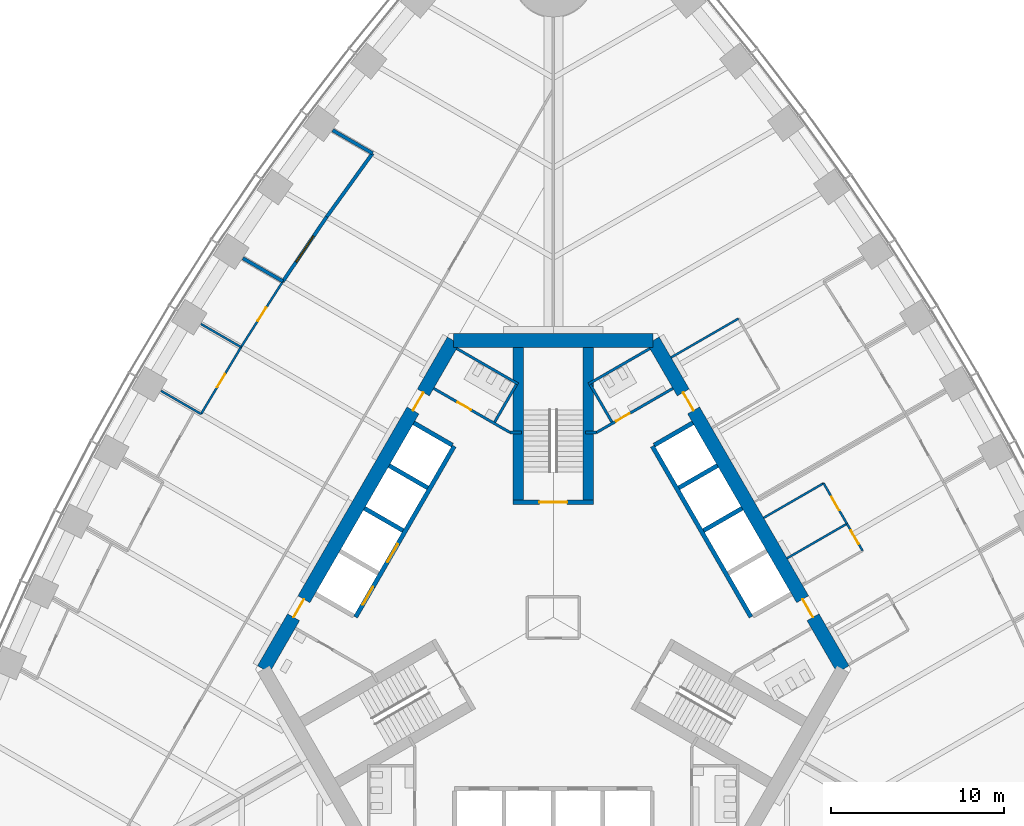
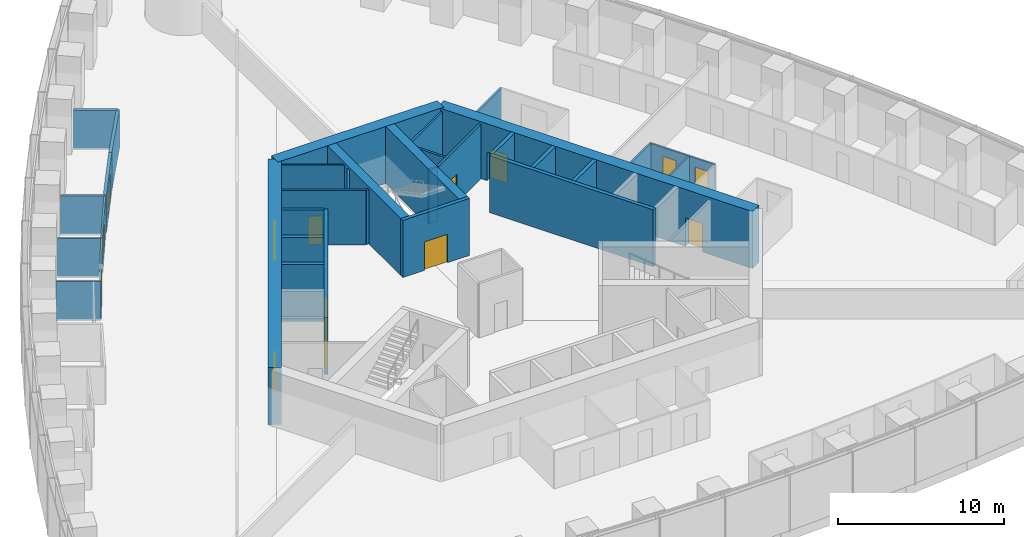
# One storey, part 12 of 18: 35 walls, 14 doors, 14 openings.
"""IFC4 building model written with IfcOpenShell, lengths in metres."""

from ifc_helpers import new_model, si_unit, direction, frame, frame_2d, origin, place, context, subcontext, project, spatial, rectangle, extrude, material, layer, layer_set, type_object, element, fill, save


model = new_model("IFC4")

# Units and contexts
model_context = context("Model", 3, precision=1e-05, world=origin(), true_north=direction((0.0, 1.0)))
body_context = subcontext(model_context, "Body", "Model", "MODEL_VIEW")
ifc_project = project(units=[si_unit("LENGTHUNIT", "METRE"), si_unit("AREAUNIT", "SQUARE_METRE"), si_unit("VOLUMEUNIT", "CUBIC_METRE"), si_unit("PLANEANGLEUNIT", "RADIAN"), si_unit("MASSUNIT", "GRAM", prefix="KILO")], contexts=[model_context])

# Site, building, storey
site_placement = place(None, origin())
site = spatial("IfcSite", under=ifc_project, at=site_placement, CompositionType="ELEMENT")
building_placement = place(site_placement, origin())
building = spatial("IfcBuilding", under=site, at=building_placement, Name="Trefoil Bronze Tower", CompositionType="ELEMENT")
storey_placement = place(building_placement, frame((0.0, 0.0, 50.10009765625)))
storey = spatial("IfcBuildingStorey", under=building, at=storey_placement, Name="L11", CompositionType="ELEMENT", Elevation=50.10009765625)

# Wall, opening, door
ifc_material_1 = material(Name="Gypsum board on steel studs", Category="steel")
ifc_layer_1 = layer(ifc_material_1, 0.199951171875)
ifc_layer_set_1 = layer_set([ifc_layer_1], Name="Acoustic partition 200")
wall_type_1 = type_object("IfcWallType", Name="Acoustic partition 200", PredefinedType="PARTITIONING", material=ifc_layer_set_1)
wall_1_placement = place(storey_placement, frame((-13.090576171875, 23.146240234375, 0.0), z_axis=(0.0, 0.0, 1.0), x_axis=(-0.561512004239, -0.827468591002, 0.0)))
wall_1 = element("IfcWall", 1, at=wall_1_placement, inside=storey, type_object=wall_type_1, Name="Partition F3 L11", PredefinedType="PARTITIONING", context=body_context, shape_type="SweptSolid", body=[
    extrude(rectangle(XDim=4.51171875, YDim=0.199951171875, at=frame_2d((2.255859375, 0.0))), origin(), (0.0, 0.0, 1.0), 2.89990234375),
])
opening_1_placement = place(wall_1_placement, frame((1.35009765625, 0.0, 0.14990234375)))
opening_1 = element("IfcOpeningElement", 2, at=opening_1_placement, cuts=wall_1, Name="Opening D10", PredefinedType="OPENING", context=body_context, shape_type="SweptSolid", body=[
    extrude(rectangle(XDim=1.800048828125, YDim=2.10009765625, at=frame_2d((0.89990234375, 1.050048828125))), frame((0.0, 0.10986328125, 0.0), z_axis=(0.0, -1.0, 0.0), x_axis=(1.0, 0.0, 0.0)), (0.0, 0.0, 1.0), 0.219970703125),
])
ifc_material_2 = material(Name="Timber door", Category="wood")
door_type_1 = type_object("IfcDoorType", Name="Double door 1800", OperationType="DOUBLE_DOOR_SINGLE_SWING", PredefinedType="DOOR", material=ifc_material_2)
door_1_placement = place(opening_1_placement, frame((1.800048828125, 0.0, 0.0), z_axis=(0.0, 0.0, 1.0), x_axis=(-1.0, 0.0, 0.0)))
door_1 = element("IfcDoor", 3, at=door_1_placement, inside=storey, type_object=door_type_1, Name="Training room door F3 L11", OperationType="DOUBLE_DOOR_SINGLE_SWING", OverallHeight=2.10009765625, OverallWidth=1.800048828125, PredefinedType="DOOR", context=body_context, shape_type="SweptSolid", body=[
    extrude(rectangle(XDim=1.800048828125, YDim=2.10009765625, at=frame_2d((0.89990234375, 1.050048828125))), frame((0.0, 0.02490234375, 0.0), z_axis=(0.0, -1.0, 0.0), x_axis=(1.0, 0.0, 0.0)), (0.0, 0.0, 1.0), 0.050048828125),
])
fill(opening_1, door_1)

# Walls
wall_2_placement = place(storey_placement, frame((-10.44287109375, 26.813720703125, 0.0), z_axis=(0.0, 0.0, 1.0), x_axis=(-0.58534077607, -0.810787380187, 0.0)))
element("IfcWall", 4, at=wall_2_placement, inside=storey, type_object=wall_type_1, Name="Partition F3 L11", PredefinedType="PARTITIONING", context=body_context, shape_type="SweptSolid", body=[
    extrude(rectangle(XDim=4.5234375, YDim=0.199951171875, at=frame_2d((2.26171875, 0.0))), origin(), (0.0, 0.0, 1.0), 2.89990234375),
])
wall_3_placement = place(storey_placement, frame((-10.44287109375, 26.813720703125, 0.0), z_axis=(0.0, 0.0, 1.0), x_axis=(-0.866031171652, 0.499990009627, 0.0)))
element("IfcWall", 5, at=wall_3_placement, inside=storey, type_object=wall_type_1, Name="Partition F3 L11", PredefinedType="PARTITIONING", context=body_context, shape_type="SweptSolid", body=[
    extrude(rectangle(XDim=2.6591796875, YDim=0.199951171875, at=frame_2d((1.32958984375, 0.0))), origin(), (0.0, 0.0, 1.0), 2.89990234375),
])
wall_4_placement = place(storey_placement, frame((-15.6240234375, 19.412841796875, 0.0), z_axis=(0.0, 0.0, 1.0), x_axis=(-0.866020974757, 0.500007671222, 0.0)))
element("IfcWall", 6, at=wall_4_placement, inside=storey, type_object=wall_type_1, Name="Partition F3 L11", PredefinedType="PARTITIONING", context=body_context, shape_type="SweptSolid", body=[
    extrude(rectangle(XDim=2.66748046875, YDim=0.199951171875, at=frame_2d((1.333740234375, 0.0))), origin(), (0.0, 0.0, 1.0), 2.89990234375),
])

# Wall, openings, doors
ifc_material_3 = material(Name="Concrete B80", Category="concrete")
ifc_layer_2 = layer(ifc_material_3, 0.800048828125)
ifc_layer_set_2 = layer_set([ifc_layer_2], Name="Core wall 800")
wall_type_2 = type_object("IfcWallType", Name="Core wall 800", PredefinedType="SHEAR", material=ifc_layer_set_2)
wall_5_placement = place(storey_placement, frame((16.7431640625, -3.0, 0.0), z_axis=(0.0, 0.0, 1.0), x_axis=(-0.500002442456, 0.866023993627, 0.0)))
wall_5 = element("IfcWall", 7, at=wall_5_placement, inside=storey, type_object=wall_type_2, Name="Core long wall 2 L11", PredefinedType="SHEAR", context=body_context, shape_type="SweptSolid", body=[
    extrude(rectangle(XDim=21.939453125, YDim=0.800048828125, at=frame_2d((10.9697265625, 0.0))), origin(), (0.0, 0.0, 1.0), 4.199951171875),
])
opening_2_placement = place(wall_5_placement, frame((17.269775390625, 0.0, 0.0)))
opening_2 = element("IfcOpeningElement", 8, at=opening_2_placement, cuts=wall_5, Name="Opening D2", PredefinedType="OPENING", context=body_context, shape_type="SweptSolid", body=[
    extrude(rectangle(XDim=1.199951171875, YDim=2.10009765625, at=frame_2d((0.60009765625, 1.050048828125))), frame((0.0, 0.409912109375, 0.0), z_axis=(0.0, -1.0, 0.0), x_axis=(1.0, 0.0, 0.0)), (0.0, 0.0, 1.0), 0.820068359375),
])
opening_3_placement = place(wall_5_placement, frame((3.4697265625, 0.0, 0.0)))
opening_3 = element("IfcOpeningElement", 9, at=opening_3_placement, cuts=wall_5, Name="Opening D2", PredefinedType="OPENING", context=body_context, shape_type="SweptSolid", body=[
    extrude(rectangle(XDim=1.199951171875, YDim=2.10009765625, at=frame_2d((0.60009765625, 1.050048828125))), frame((0.0, 0.409912109375, 0.0), z_axis=(0.0, -1.0, 0.0), x_axis=(1.0, 0.0, 0.0)), (0.0, 0.0, 1.0), 0.820068359375),
])
ifc_material_4 = material(Name="Steel door", Category="steel")
door_type_2 = type_object("IfcDoorType", Name="Lobby door 1200", OperationType="SINGLE_SWING_RIGHT", PredefinedType="DOOR", material=ifc_material_4)
door_2_placement = place(opening_2_placement, origin())
door_2 = element("IfcDoor", 10, at=door_2_placement, inside=storey, type_object=door_type_2, Name="Lobby door F2+ L11", OperationType="SINGLE_SWING_RIGHT", OverallHeight=2.10009765625, OverallWidth=1.199951171875, PredefinedType="DOOR", context=body_context, shape_type="SweptSolid", body=[
    extrude(rectangle(XDim=1.199951171875, YDim=2.10009765625, at=frame_2d((0.60009765625, 1.050048828125))), frame((0.0, 0.02490234375, 0.0), z_axis=(0.0, -1.0, 0.0), x_axis=(1.0, 0.0, 0.0)), (0.0, 0.0, 1.0), 0.050048828125),
])
fill(opening_2, door_2)
door_3_placement = place(opening_3_placement, origin())
door_3 = element("IfcDoor", 11, at=door_3_placement, inside=storey, type_object=door_type_2, Name="Lobby door F2- L11", OperationType="SINGLE_SWING_LEFT", OverallHeight=2.10009765625, OverallWidth=1.199951171875, PredefinedType="DOOR", context=body_context, shape_type="SweptSolid", body=[
    extrude(rectangle(XDim=1.199951171875, YDim=2.10009765625, at=frame_2d((0.60009765625, 1.050048828125))), frame((0.0, 0.02490234375, 0.0), z_axis=(0.0, -1.0, 0.0), x_axis=(1.0, 0.0, 0.0)), (0.0, 0.0, 1.0), 0.050048828125),
])
fill(opening_3, door_3)

# Wall
wall_6_placement = place(storey_placement, frame((5.7734375, 16.0, 0.0), z_axis=(0.0, 0.0, 1.0), x_axis=(-1.0, 0.0, 0.0)))
element("IfcWall", 12, at=wall_6_placement, inside=storey, type_object=wall_type_2, Name="Core short wall 2 L11", PredefinedType="SHEAR", context=body_context, shape_type="SweptSolid", body=[
    extrude(rectangle(XDim=11.546875, YDim=0.800048828125, at=frame_2d((5.7734375, 0.0))), origin(), (0.0, 0.0, 1.0), 4.199951171875),
])

# Wall, openings, doors
wall_7_placement = place(storey_placement, frame((-5.7734375, 16.0, 0.0), z_axis=(0.0, 0.0, 1.0), x_axis=(-0.500002442456, -0.866023993627, 0.0)))
wall_7 = element("IfcWall", 13, at=wall_7_placement, inside=storey, type_object=wall_type_2, Name="Core long wall 3 L11", PredefinedType="SHEAR", context=body_context, shape_type="SweptSolid", body=[
    extrude(rectangle(XDim=21.939453125, YDim=0.800048828125, at=frame_2d((10.9697265625, 0.0))), origin(), (0.0, 0.0, 1.0), 4.199951171875),
])
opening_4_placement = place(wall_7_placement, frame((17.269775390625, 0.0, 0.0)))
opening_4 = element("IfcOpeningElement", 14, at=opening_4_placement, cuts=wall_7, Name="Opening D2", PredefinedType="OPENING", context=body_context, shape_type="SweptSolid", body=[
    extrude(rectangle(XDim=1.199951171875, YDim=2.10009765625, at=frame_2d((0.60009765625, 1.050048828125))), frame((0.0, 0.409912109375, 0.0), z_axis=(0.0, -1.0, 0.0), x_axis=(1.0, 0.0, 0.0)), (0.0, 0.0, 1.0), 0.820068359375),
])
opening_5_placement = place(wall_7_placement, frame((3.4697265625, 0.0, 0.0)))
opening_5 = element("IfcOpeningElement", 15, at=opening_5_placement, cuts=wall_7, Name="Opening D2", PredefinedType="OPENING", context=body_context, shape_type="SweptSolid", body=[
    extrude(rectangle(XDim=1.199951171875, YDim=2.10009765625, at=frame_2d((0.60009765625, 1.050048828125))), frame((0.0, 0.409912109375, 0.0), z_axis=(0.0, -1.0, 0.0), x_axis=(1.0, 0.0, 0.0)), (0.0, 0.0, 1.0), 0.820068359375),
])
door_4_placement = place(opening_4_placement, origin())
door_4 = element("IfcDoor", 16, at=door_4_placement, inside=storey, type_object=door_type_2, Name="Lobby door F3+ L11", OperationType="SINGLE_SWING_RIGHT", OverallHeight=2.10009765625, OverallWidth=1.199951171875, PredefinedType="DOOR", context=body_context, shape_type="SweptSolid", body=[
    extrude(rectangle(XDim=1.199951171875, YDim=2.10009765625, at=frame_2d((0.60009765625, 1.050048828125))), frame((0.0, 0.02490234375, 0.0), z_axis=(0.0, -1.0, 0.0), x_axis=(1.0, 0.0, 0.0)), (0.0, 0.0, 1.0), 0.050048828125),
])
fill(opening_4, door_4)
door_5_placement = place(opening_5_placement, origin())
door_5 = element("IfcDoor", 17, at=door_5_placement, inside=storey, type_object=door_type_2, Name="Lobby door F3- L11", OperationType="SINGLE_SWING_LEFT", OverallHeight=2.10009765625, OverallWidth=1.199951171875, PredefinedType="DOOR", context=body_context, shape_type="SweptSolid", body=[
    extrude(rectangle(XDim=1.199951171875, YDim=2.10009765625, at=frame_2d((0.60009765625, 1.050048828125))), frame((0.0, 0.02490234375, 0.0), z_axis=(0.0, -1.0, 0.0), x_axis=(1.0, 0.0, 0.0)), (0.0, 0.0, 1.0), 0.050048828125),
])
fill(opening_5, door_5)

# Wall, opening, door
ifc_material_5 = material(Name="Glazed partition", Category="glass")
ifc_layer_3 = layer(ifc_material_5, 0.1201171875)
ifc_layer_set_3 = layer_set([ifc_layer_3], Name="Glazed partition 120")
wall_type_3 = type_object("IfcWallType", Name="Glazed partition 120", PredefinedType="PARTITIONING", material=ifc_layer_set_3)
wall_8_placement = place(storey_placement, frame((16.96875, 5.4091796875, 0.0), z_axis=(0.0, 0.0, 1.0), x_axis=(-0.499980770555, 0.866036505625, 0.0)))
wall_8 = element("IfcWall", 18, at=wall_8_placement, inside=storey, type_object=wall_type_3, Name="Partition F2 L11", PredefinedType="PARTITIONING", context=body_context, shape_type="SweptSolid", body=[
    extrude(rectangle(XDim=2.69970703125, YDim=0.1201171875, at=frame_2d((1.349853515625, 0.0))), origin(), (0.0, 0.0, 1.0), 2.89990234375),
])
opening_6_placement = place(wall_8_placement, frame((0.89990234375, 0.0, 0.14990234375)))
opening_6 = element("IfcOpeningElement", 19, at=opening_6_placement, cuts=wall_8, Name="Opening D8", PredefinedType="OPENING", context=body_context, shape_type="SweptSolid", body=[
    extrude(rectangle(XDim=0.89990234375, YDim=2.10009765625, at=frame_2d((0.449951171875, 1.050048828125))), frame((0.0, 0.070068359375, 0.0), z_axis=(0.0, -1.0, 0.0), x_axis=(1.0, 0.0, 0.0)), (0.0, 0.0, 1.0), 0.14013671875),
])
ifc_material_6 = material(Name="Timber door", Category="wood")
door_type_3 = type_object("IfcDoorType", Name="Office door 900", OperationType="SINGLE_SWING_LEFT", PredefinedType="DOOR", material=ifc_material_6)
door_6_placement = place(opening_6_placement, origin())
door_6 = element("IfcDoor", 20, at=door_6_placement, inside=storey, type_object=door_type_3, Name="Pantry door F2 L11", OperationType="SINGLE_SWING_RIGHT", OverallHeight=2.10009765625, OverallWidth=0.89990234375, PredefinedType="DOOR", context=body_context, shape_type="SweptSolid", body=[
    extrude(rectangle(XDim=0.89990234375, YDim=2.10009765625, at=frame_2d((0.449951171875, 1.050048828125))), frame((0.0, 0.02490234375, 0.0), z_axis=(0.0, -1.0, 0.0), x_axis=(1.0, 0.0, 0.0)), (0.0, 0.0, 1.0), 0.050048828125),
])
fill(opening_6, door_6)

wall_9_placement = place(storey_placement, frame((17.868896484375, 3.850341796875, 0.0), z_axis=(0.0, 0.0, 1.0), x_axis=(-0.500062916607, 0.865989075817, 0.0)))
wall_9 = element("IfcWall", 21, at=wall_9_placement, inside=storey, type_object=wall_type_3, Name="Partition F2 L11", PredefinedType="PARTITIONING", context=body_context, shape_type="SweptSolid", body=[
    extrude(rectangle(XDim=1.800048828125, YDim=0.1201171875, at=frame_2d((0.89990234375, 0.0))), origin(), (0.0, 0.0, 1.0), 2.89990234375),
])
opening_7_placement = place(wall_9_placement, frame((0.449951171875, 0.0, 0.14990234375)))
opening_7 = element("IfcOpeningElement", 22, at=opening_7_placement, cuts=wall_9, Name="Opening D8", PredefinedType="OPENING", context=body_context, shape_type="SweptSolid", body=[
    extrude(rectangle(XDim=0.89990234375, YDim=2.10009765625, at=frame_2d((0.449951171875, 1.050048828125))), frame((0.0, 0.070068359375, 0.0), z_axis=(0.0, -1.0, 0.0), x_axis=(1.0, 0.0, 0.0)), (0.0, 0.0, 1.0), 0.14013671875),
])
door_7_placement = place(opening_7_placement, origin())
door_7 = element("IfcDoor", 23, at=door_7_placement, inside=storey, type_object=door_type_3, Name="Focus room door F2 L11", OperationType="SINGLE_SWING_LEFT", OverallHeight=2.10009765625, OverallWidth=0.89990234375, PredefinedType="DOOR", context=body_context, shape_type="SweptSolid", body=[
    extrude(rectangle(XDim=0.89990234375, YDim=2.10009765625, at=frame_2d((0.449951171875, 1.050048828125))), frame((0.0, 0.02490234375, 0.0), z_axis=(0.0, -1.0, 0.0), x_axis=(1.0, 0.0, 0.0)), (0.0, 0.0, 1.0), 0.050048828125),
])
fill(opening_7, door_7)

# Walls
wall_10_placement = place(storey_placement, frame((6.8046875, 15.013916015625, 0.0), z_axis=(0.0, 0.0, 1.0), x_axis=(0.866031096941, 0.499990139034, 0.0)))
element("IfcWall", 24, at=wall_10_placement, inside=storey, type_object=wall_type_3, Name="Partition F2 L11", PredefinedType="PARTITIONING", context=body_context, shape_type="SweptSolid", body=[
    extrude(rectangle(XDim=4.5, YDim=0.1201171875, at=frame_2d((2.25, 0.0))), origin(), (0.0, 0.0, 1.0), 2.89990234375),
])
for number, where, z_axis, x_axis, name in (
    (25, (12.15478515625, 5.747314453125, 0.0), (0.0, 0.0, 1.0), (0.866026010844, 0.49999894854, 0.0), "Partition F2 L11"),
    (26, (13.504638671875, 3.4091796875, 0.0), (0.0, 0.0, 1.0), (0.866026010844, 0.49999894854, 0.0), "Partition F2 L11"),
):
    element("IfcWall", number, at=place(storey_placement, frame(where, z_axis=z_axis, x_axis=x_axis)), inside=storey, type_object=wall_type_3, Name=name, PredefinedType="PARTITIONING", context=body_context, shape_type="SweptSolid", body=[
        extrude(rectangle(XDim=4.0, YDim=0.1201171875, at=frame_2d((2.0, 0.0))), origin(), (0.0, 0.0, 1.0), 2.89990234375),
    ])

# Wall, opening, door
wall_11_placement = place(storey_placement, frame((-18.0439453125, 15.61376953125, 0.0), z_axis=(0.0, 0.0, 1.0), x_axis=(-0.51252396108, -0.858672923364, 0.0)))
wall_11 = element("IfcWall", 27, at=wall_11_placement, inside=storey, type_object=wall_type_3, Name="Partition F3 L11", PredefinedType="PARTITIONING", context=body_context, shape_type="SweptSolid", body=[
    extrude(rectangle(XDim=4.50048828125, YDim=0.1201171875, at=frame_2d((2.250244140625, 0.0))), origin(), (0.0, 0.0, 1.0), 2.89990234375),
])
opening_8_placement = place(wall_11_placement, frame((1.800048828125, 0.0, 0.14990234375)))
opening_8 = element("IfcOpeningElement", 28, at=opening_8_placement, cuts=wall_11, Name="Opening D8", PredefinedType="OPENING", context=body_context, shape_type="SweptSolid", body=[
    extrude(rectangle(XDim=0.89990234375, YDim=2.10009765625, at=frame_2d((0.449951171875, 1.050048828125))), frame((0.0, 0.070068359375, 0.0), z_axis=(0.0, -1.0, 0.0), x_axis=(1.0, 0.0, 0.0)), (0.0, 0.0, 1.0), 0.14013671875),
])
door_8_placement = place(opening_8_placement, frame((0.89990234375, 0.0, 0.0), z_axis=(0.0, 0.0, 1.0), x_axis=(-1.0, 0.0, 0.0)))
door_8 = element("IfcDoor", 29, at=door_8_placement, inside=storey, type_object=door_type_3, Name="Office door F3 L11", OperationType="SINGLE_SWING_RIGHT", OverallHeight=2.10009765625, OverallWidth=0.89990234375, PredefinedType="DOOR", context=body_context, shape_type="SweptSolid", body=[
    extrude(rectangle(XDim=0.89990234375, YDim=2.10009765625, at=frame_2d((0.449951171875, 1.050048828125))), frame((0.0, 0.02490234375, 0.0), z_axis=(0.0, -1.0, 0.0), x_axis=(1.0, 0.0, 0.0)), (0.0, 0.0, 1.0), 0.050048828125),
])
fill(opening_8, door_8)

wall_12_placement = place(storey_placement, frame((-15.6240234375, 19.412841796875, 0.0), z_axis=(0.0, 0.0, 1.0), x_axis=(-0.537243691336, -0.843427066272, 0.0)))
wall_12 = element("IfcWall", 30, at=wall_12_placement, inside=storey, type_object=wall_type_3, Name="Partition F3 L11", PredefinedType="PARTITIONING", context=body_context, shape_type="SweptSolid", body=[
    extrude(rectangle(XDim=4.50439453125, YDim=0.1201171875, at=frame_2d((2.252197265625, 0.0))), origin(), (0.0, 0.0, 1.0), 2.89990234375),
])
opening_9_placement = place(wall_12_placement, frame((1.800048828125, 0.0, 0.14990234375)))
opening_9 = element("IfcOpeningElement", 31, at=opening_9_placement, cuts=wall_12, Name="Opening D8", PredefinedType="OPENING", context=body_context, shape_type="SweptSolid", body=[
    extrude(rectangle(XDim=0.89990234375, YDim=2.10009765625, at=frame_2d((0.449951171875, 1.050048828125))), frame((0.0, 0.070068359375, 0.0), z_axis=(0.0, -1.0, 0.0), x_axis=(1.0, 0.0, 0.0)), (0.0, 0.0, 1.0), 0.14013671875),
])
door_9_placement = place(opening_9_placement, frame((0.89990234375, 0.0, 0.0), z_axis=(0.0, 0.0, 1.0), x_axis=(-1.0, 0.0, 0.0)))
door_9 = element("IfcDoor", 32, at=door_9_placement, inside=storey, type_object=door_type_3, Name="Office door F3 L11", OperationType="SINGLE_SWING_RIGHT", OverallHeight=2.10009765625, OverallWidth=0.89990234375, PredefinedType="DOOR", context=body_context, shape_type="SweptSolid", body=[
    extrude(rectangle(XDim=0.89990234375, YDim=2.10009765625, at=frame_2d((0.449951171875, 1.050048828125))), frame((0.0, 0.02490234375, 0.0), z_axis=(0.0, -1.0, 0.0), x_axis=(1.0, 0.0, 0.0)), (0.0, 0.0, 1.0), 0.050048828125),
])
fill(opening_9, door_9)

# Walls
wall_13_placement = place(storey_placement, frame((-20.3505859375, 11.749267578125, 0.0), z_axis=(0.0, 0.0, 1.0), x_axis=(-0.865989150234, 0.500062787734, 0.0)))
element("IfcWall", 33, at=wall_13_placement, inside=storey, type_object=wall_type_3, Name="Partition F3 L11", PredefinedType="PARTITIONING", context=body_context, shape_type="SweptSolid", body=[
    extrude(rectangle(XDim=2.670166015625, YDim=0.1201171875, at=frame_2d((1.3349609375, 0.0))), origin(), (0.0, 0.0, 1.0), 2.89990234375),
])
wall_14_placement = place(storey_placement, frame((-18.0439453125, 15.61376953125, 0.0), z_axis=(0.0, 0.0, 1.0), x_axis=(-0.866022619654, 0.500004822225, 0.0)))
element("IfcWall", 34, at=wall_14_placement, inside=storey, type_object=wall_type_3, Name="Partition F3 L11", PredefinedType="PARTITIONING", context=body_context, shape_type="SweptSolid", body=[
    extrude(rectangle(XDim=2.66943359375, YDim=0.1201171875, at=frame_2d((1.334716796875, 0.0))), origin(), (0.0, 0.0, 1.0), 2.89990234375),
])

# Wall, opening, door
ifc_material_7 = material(Name="Gypsum board on steel studs", Category="steel")
ifc_layer_4 = layer(ifc_material_7, 0.14990234375)
ifc_layer_set_4 = layer_set([ifc_layer_4], Name="Partition 150")
wall_type_4 = type_object("IfcWallType", Name="Partition 150", PredefinedType="PARTITIONING", material=ifc_layer_set_4)
wall_15_placement = place(storey_placement, frame((2.4951171875, 10.67822265625, 0.0), z_axis=(0.0, 0.0, 1.0), x_axis=(0.86602216432, 0.500005610874, 0.0)))
wall_15 = element("IfcWall", 35, at=wall_15_placement, inside=storey, type_object=wall_type_4, Name="Passage wall F2+ L11", PredefinedType="PARTITIONING", context=body_context, shape_type="SweptSolid", body=[
    extrude(rectangle(XDim=5.10009765625, YDim=0.14990234375, at=frame_2d((2.550048828125, 0.0))), origin(), (0.0, 0.0, 1.0), 4.0),
])
opening_10_placement = place(wall_15_placement, frame((1.300048828125, 0.0, 0.0)))
opening_10 = element("IfcOpeningElement", 36, at=opening_10_placement, cuts=wall_15, Name="Opening D3", PredefinedType="OPENING", context=body_context, shape_type="SweptSolid", body=[
    extrude(rectangle(XDim=0.89990234375, YDim=2.10009765625, at=frame_2d((0.449951171875, 1.050048828125))), frame((0.0, 0.0849609375, 0.0), z_axis=(0.0, -1.0, 0.0), x_axis=(1.0, 0.0, 0.0)), (0.0, 0.0, 1.0), 0.169921875),
])
ifc_material_8 = material(Name="Timber door", Category="wood")
door_type_4 = type_object("IfcDoorType", Name="WC door 900", OperationType="SINGLE_SWING_LEFT", PredefinedType="DOOR", material=ifc_material_8)
door_10_placement = place(opening_10_placement, origin())
door_10 = element("IfcDoor", 37, at=door_10_placement, inside=storey, type_object=door_type_4, Name="WC (men) door L11", OperationType="SINGLE_SWING_LEFT", OverallHeight=2.10009765625, OverallWidth=0.89990234375, PredefinedType="DOOR", context=body_context, shape_type="SweptSolid", body=[
    extrude(rectangle(XDim=0.89990234375, YDim=2.10009765625, at=frame_2d((0.449951171875, 1.050048828125))), frame((0.0, 0.02490234375, 0.0), z_axis=(0.0, -1.0, 0.0), x_axis=(1.0, 0.0, 0.0)), (0.0, 0.0, 1.0), 0.050048828125),
])
fill(opening_10, door_10)

wall_16_placement = place(storey_placement, frame((-2.4951171875, 10.67822265625, 0.0), z_axis=(0.0, 0.0, 1.0), x_axis=(-0.86602216432, 0.500005610874, 0.0)))
wall_16 = element("IfcWall", 38, at=wall_16_placement, inside=storey, type_object=wall_type_4, Name="Passage wall F3- L11", PredefinedType="PARTITIONING", context=body_context, shape_type="SweptSolid", body=[
    extrude(rectangle(XDim=5.10009765625, YDim=0.14990234375, at=frame_2d((2.550048828125, 0.0))), origin(), (0.0, 0.0, 1.0), 4.0),
])
opening_11_placement = place(wall_16_placement, frame((2.60009765625, 0.0, 0.0)))
opening_11 = element("IfcOpeningElement", 39, at=opening_11_placement, cuts=wall_16, Name="Opening D3", PredefinedType="OPENING", context=body_context, shape_type="SweptSolid", body=[
    extrude(rectangle(XDim=0.89990234375, YDim=2.10009765625, at=frame_2d((0.449951171875, 1.050048828125))), frame((0.0, 0.0849609375, 0.0), z_axis=(0.0, -1.0, 0.0), x_axis=(1.0, 0.0, 0.0)), (0.0, 0.0, 1.0), 0.169921875),
])
door_11_placement = place(opening_11_placement, frame((0.89990234375, 0.0, 0.0), z_axis=(0.0, 0.0, 1.0), x_axis=(-1.0, 0.0, 0.0)))
door_11 = element("IfcDoor", 40, at=door_11_placement, inside=storey, type_object=door_type_4, Name="WC (women) door L11", OperationType="SINGLE_SWING_RIGHT", OverallHeight=2.10009765625, OverallWidth=0.89990234375, PredefinedType="DOOR", context=body_context, shape_type="SweptSolid", body=[
    extrude(rectangle(XDim=0.89990234375, YDim=2.10009765625, at=frame_2d((0.449951171875, 1.050048828125))), frame((0.0, 0.02490234375, 0.0), z_axis=(0.0, -1.0, 0.0), x_axis=(1.0, 0.0, 0.0)), (0.0, 0.0, 1.0), 0.050048828125),
])
fill(opening_11, door_11)

# Walls
for number, where, z_axis, x_axis, name in (
    (41, (2.4951171875, 10.67822265625, 0.0), (0.0, 0.0, 1.0), (-1.0, 0.0, 0.0), "WC wall ST2-1 L11"),
    (42, (-2.4951171875, 10.67822265625, 0.0), (0.0, 0.0, 1.0), (1.0, 0.0, 0.0), "WC wall ST2+1 L11"),
):
    element("IfcWall", number, at=place(storey_placement, frame(where, z_axis=z_axis, x_axis=x_axis)), inside=storey, type_object=wall_type_4, Name=name, PredefinedType="PARTITIONING", context=body_context, shape_type="SweptSolid", body=[
        extrude(rectangle(XDim=0.64501953125, YDim=0.14990234375, at=frame_2d((0.322509765625, 0.0))), origin(), (0.0, 0.0, 1.0), 4.0),
    ])
wall_17_placement = place(storey_placement, frame((2.03125, 13.48193359375, 0.0), z_axis=(0.0, 0.0, 1.0), x_axis=(0.866050731258, 0.499956128963, 0.0)))
element("IfcWall", 43, at=wall_17_placement, inside=storey, type_object=wall_type_4, Name="WC partition WC (men) L11", PredefinedType="PARTITIONING", context=body_context, shape_type="SweptSolid", body=[
    extrude(rectangle(XDim=4.099853515625, YDim=0.14990234375, at=frame_2d((2.0498046875, 0.0))), origin(), (0.0, 0.0, 1.0), 4.0),
])
wall_18_placement = place(storey_placement, frame((3.388671875, 11.28076171875, 0.0), z_axis=(0.0, 0.0, 1.0), x_axis=(-0.499989096993, 0.866031698547, 0.0)))
element("IfcWall", 44, at=wall_18_placement, inside=storey, type_object=wall_type_4, Name="WC partition WC (men) L11", PredefinedType="PARTITIONING", context=body_context, shape_type="SweptSolid", body=[
    extrude(rectangle(XDim=2.509765625, YDim=0.14990234375, at=frame_2d((1.2548828125, 0.0))), origin(), (0.0, 0.0, 1.0), 4.0),
])
wall_19_placement = place(storey_placement, frame((-2.03125, 13.48193359375, 0.0), z_axis=(0.0, 0.0, 1.0), x_axis=(-0.866050731258, 0.499956128963, 0.0)))
element("IfcWall", 45, at=wall_19_placement, inside=storey, type_object=wall_type_4, Name="WC partition WC (women) L11", PredefinedType="PARTITIONING", context=body_context, shape_type="SweptSolid", body=[
    extrude(rectangle(XDim=4.099853515625, YDim=0.14990234375, at=frame_2d((2.0498046875, 0.0))), origin(), (0.0, 0.0, 1.0), 4.0),
])
wall_20_placement = place(storey_placement, frame((-3.388671875, 11.28076171875, 0.0), z_axis=(0.0, 0.0, 1.0), x_axis=(0.499989096993, 0.866031698547, 0.0)))
element("IfcWall", 46, at=wall_20_placement, inside=storey, type_object=wall_type_4, Name="WC partition WC (women) L11", PredefinedType="PARTITIONING", context=body_context, shape_type="SweptSolid", body=[
    extrude(rectangle(XDim=2.509765625, YDim=0.14990234375, at=frame_2d((1.2548828125, 0.0))), origin(), (0.0, 0.0, 1.0), 4.0),
])
ifc_material_9 = material(Name="Concrete B80", Category="concrete")
ifc_layer_5 = layer(ifc_material_9, 0.25)
ifc_layer_set_5 = layer_set([ifc_layer_5], Name="Shaft wall 250")
wall_type_5 = type_object("IfcWallType", Name="Shaft wall 250", PredefinedType="SHEAR", material=ifc_layer_set_5)
wall_21_placement = place(storey_placement, frame((11.423583984375, 0.013671875, 0.0), z_axis=(0.0, 0.0, 1.0), x_axis=(-0.500001763848, 0.866024385424, 0.0)))
element("IfcWall", 47, at=wall_21_placement, inside=storey, type_object=wall_type_5, Name="Lift shaft front wall B L11", PredefinedType="SHEAR", context=body_context, shape_type="SweptSolid", body=[
    extrude(rectangle(XDim=11.39990234375, YDim=0.25, at=frame_2d((5.699951171875, 0.0))), origin(), (0.0, 0.0, 1.0), 4.199951171875),
])
for number, where, z_axis, x_axis, name in (
    (48, (8.681884765625, 5.012451171875, 0.0), (0.0, 0.0, 1.0), (0.866005588531, 0.500034319456, 0.0), "Lift shaft side wall B2 L11"),
    (49, (7.2568359375, 7.480712890625, 0.0), (0.0, 0.0, 1.0), (0.866046643894, 0.499963209246, 0.0), "Lift shaft side wall B3 L11"),
):
    element("IfcWall", number, at=place(storey_placement, frame(where, z_axis=z_axis, x_axis=x_axis)), inside=storey, type_object=wall_type_5, Name=name, PredefinedType="SHEAR", context=body_context, shape_type="SweptSolid", body=[
        extrude(rectangle(XDim=2.574951171875, YDim=0.25, at=frame_2d((1.28759765625, 0.0))), origin(), (0.0, 0.0, 1.0), 4.199951171875),
    ])
wall_22_placement = place(storey_placement, frame((5.831787109375, 9.94873046875, 0.0), z_axis=(0.0, 0.0, 1.0), x_axis=(0.866029291668, 0.499993265928, 0.0)))
element("IfcWall", 50, at=wall_22_placement, inside=storey, type_object=wall_type_5, Name="Lift shaft side wall B4 L11", PredefinedType="SHEAR", context=body_context, shape_type="SweptSolid", body=[
    extrude(rectangle(XDim=2.5751953125, YDim=0.25, at=frame_2d((1.28759765625, 0.0))), origin(), (0.0, 0.0, 1.0), 4.199951171875),
])

# Wall, openings, doors
wall_23_placement = place(storey_placement, frame((-5.7236328125, 9.88623046875, 0.0), z_axis=(0.0, 0.0, 1.0), x_axis=(-0.500001763848, -0.866024385424, 0.0)))
wall_23 = element("IfcWall", 51, at=wall_23_placement, inside=storey, type_object=wall_type_5, Name="Lift shaft front wall C L11", PredefinedType="SHEAR", context=body_context, shape_type="SweptSolid", body=[
    extrude(rectangle(XDim=11.39990234375, YDim=0.25, at=frame_2d((5.699951171875, 0.0))), origin(), (0.0, 0.0, 1.0), 4.199951171875),
])
opening_12_placement = place(wall_23_placement, frame((6.52490234375, 0.0, 0.0)))
opening_12 = element("IfcOpeningElement", 52, at=opening_12_placement, cuts=wall_23, Name="Opening LD-FL1", PredefinedType="OPENING", context=body_context, shape_type="SweptSolid", body=[
    extrude(rectangle(XDim=1.199951171875, YDim=2.199951171875, at=frame_2d((0.60009765625, 1.10009765625))), frame((0.0, 0.135009765625, 0.0), z_axis=(0.0, -1.0, 0.0), x_axis=(1.0, 0.0, 0.0)), (0.0, 0.0, 1.0), 0.27001953125),
])
opening_13_placement = place(wall_23_placement, frame((9.375, 0.0, 0.0)))
opening_13 = element("IfcOpeningElement", 53, at=opening_13_placement, cuts=wall_23, Name="Opening LD-FL2", PredefinedType="OPENING", context=body_context, shape_type="SweptSolid", body=[
    extrude(rectangle(XDim=1.199951171875, YDim=2.199951171875, at=frame_2d((0.60009765625, 1.10009765625))), frame((0.0, 0.135009765625, 0.0), z_axis=(0.0, -1.0, 0.0), x_axis=(1.0, 0.0, 0.0)), (0.0, 0.0, 1.0), 0.27001953125),
])
ifc_material_10 = material(Name="Steel door", Category="steel")
door_type_5 = type_object("IfcDoorType", Name="Lift landing door 1200", OperationType="DOUBLE_DOOR_SLIDING", PredefinedType="DOOR", material=ifc_material_10)
door_12_placement = place(opening_12_placement, origin())
door_12 = element("IfcDoor", 54, at=door_12_placement, inside=storey, type_object=door_type_5, Name="Lift FL1 landing door L11", OperationType="DOUBLE_DOOR_SLIDING", OverallHeight=2.199951171875, OverallWidth=1.199951171875, PredefinedType="DOOR", context=body_context, shape_type="SweptSolid", body=[
    extrude(rectangle(XDim=1.199951171875, YDim=2.199951171875, at=frame_2d((0.60009765625, 1.10009765625))), frame((0.0, 0.02490234375, 0.0), z_axis=(0.0, -1.0, 0.0), x_axis=(1.0, 0.0, 0.0)), (0.0, 0.0, 1.0), 0.050048828125),
])
fill(opening_12, door_12)
door_13_placement = place(opening_13_placement, origin())
door_13 = element("IfcDoor", 55, at=door_13_placement, inside=storey, type_object=door_type_5, Name="Lift FL2 landing door L11", OperationType="DOUBLE_DOOR_SLIDING", OverallHeight=2.199951171875, OverallWidth=1.199951171875, PredefinedType="DOOR", context=body_context, shape_type="SweptSolid", body=[
    extrude(rectangle(XDim=1.199951171875, YDim=2.199951171875, at=frame_2d((0.60009765625, 1.10009765625))), frame((0.0, 0.02490234375, 0.0), z_axis=(0.0, -1.0, 0.0), x_axis=(1.0, 0.0, 0.0)), (0.0, 0.0, 1.0), 0.050048828125),
])
fill(opening_13, door_13)

# Walls
wall_24_placement = place(storey_placement, frame((-5.831787109375, 9.94873046875, 0.0), z_axis=(0.0, 0.0, 1.0), x_axis=(-0.866029291668, 0.499993265928, 0.0)))
element("IfcWall", 56, at=wall_24_placement, inside=storey, type_object=wall_type_5, Name="Lift shaft side wall C0 L11", PredefinedType="SHEAR", context=body_context, shape_type="SweptSolid", body=[
    extrude(rectangle(XDim=2.5751953125, YDim=0.25, at=frame_2d((1.28759765625, 0.0))), origin(), (0.0, 0.0, 1.0), 4.199951171875),
])
for number, where, z_axis, x_axis, name in (
    (57, (-7.2568359375, 7.480712890625, 0.0), (0.0, 0.0, 1.0), (-0.866046643894, 0.499963209246, 0.0), "Lift shaft side wall C1 L11"),
    (58, (-8.681884765625, 5.012451171875, 0.0), (0.0, 0.0, 1.0), (-0.866005588531, 0.500034319456, 0.0), "Lift shaft side wall C2 L11"),
):
    element("IfcWall", number, at=place(storey_placement, frame(where, z_axis=z_axis, x_axis=x_axis)), inside=storey, type_object=wall_type_5, Name=name, PredefinedType="SHEAR", context=body_context, shape_type="SweptSolid", body=[
        extrude(rectangle(XDim=2.574951171875, YDim=0.25, at=frame_2d((1.28759765625, 0.0))), origin(), (0.0, 0.0, 1.0), 4.199951171875),
    ])

# Wall, opening, door
wall_25_placement = place(storey_placement, frame((2.324951171875, 6.64990234375, 0.0), z_axis=(0.0, 0.0, 1.0), x_axis=(-1.0, 0.0, 0.0)))
wall_25 = element("IfcWall", 59, at=wall_25_placement, inside=storey, type_object=wall_type_5, Name="Stair end wall ST2 L11", PredefinedType="SHEAR", context=body_context, shape_type="SweptSolid", body=[
    extrude(rectangle(XDim=4.64990234375, YDim=0.25, at=frame_2d((2.324951171875, 0.0))), origin(), (0.0, 0.0, 1.0), 4.199951171875),
])
opening_14_placement = place(wall_25_placement, frame((1.52490234375, 0.0, 0.0)))
opening_14 = element("IfcOpeningElement", 60, at=opening_14_placement, cuts=wall_25, Name="Opening D1", PredefinedType="OPENING", context=body_context, shape_type="SweptSolid", body=[
    extrude(rectangle(XDim=1.60009765625, YDim=2.10009765625, at=frame_2d((0.800048828125, 1.050048828125))), frame((0.0, 0.135009765625, 0.0), z_axis=(0.0, -1.0, 0.0), x_axis=(1.0, 0.0, 0.0)), (0.0, 0.0, 1.0), 0.27001953125),
])
ifc_material_11 = material(Name="Steel door", Category="steel")
door_type_6 = type_object("IfcDoorType", Name="Stair door 1600", OperationType="DOUBLE_DOOR_SINGLE_SWING", PredefinedType="DOOR", material=ifc_material_11)
door_14_placement = place(opening_14_placement, frame((1.60009765625, 0.0, 0.0), z_axis=(0.0, 0.0, 1.0), x_axis=(-1.0, 0.0, 0.0)))
door_14 = element("IfcDoor", 61, at=door_14_placement, inside=storey, type_object=door_type_6, Name="Stair door ST2 L11", OperationType="DOUBLE_DOOR_SINGLE_SWING", OverallHeight=2.10009765625, OverallWidth=1.60009765625, PredefinedType="DOOR", context=body_context, shape_type="SweptSolid", body=[
    extrude(rectangle(XDim=1.60009765625, YDim=2.10009765625, at=frame_2d((0.800048828125, 1.050048828125))), frame((0.0, 0.02490234375, 0.0), z_axis=(0.0, -1.0, 0.0), x_axis=(1.0, 0.0, 0.0)), (0.0, 0.0, 1.0), 0.050048828125),
])
fill(opening_14, door_14)

# Walls
ifc_material_12 = material(Name="Concrete B80", Category="concrete")
ifc_layer_6 = layer(ifc_material_12, 0.60009765625)
ifc_layer_set_6 = layer_set([ifc_layer_6], Name="Stair wall 600")
wall_type_6 = type_object("IfcWallType", Name="Stair wall 600", PredefinedType="SHEAR", material=ifc_layer_set_6)
for number, where, z_axis, x_axis, name in (
    (62, (2.02490234375, 6.52490234375, 0.0), (0.0, 0.0, 1.0), (0.0, 1.0, 0.0), "Stair wall ST2 L11"),
    (63, (-2.02490234375, 6.52490234375, 0.0), (0.0, 0.0, 1.0), (0.0, 1.0, 0.0), "Stair wall ST2 L11"),
):
    element("IfcWall", number, at=place(storey_placement, frame(where, z_axis=z_axis, x_axis=x_axis)), inside=storey, type_object=wall_type_6, Name=name, PredefinedType="SHEAR", context=body_context, shape_type="SweptSolid", body=[
        extrude(rectangle(XDim=9.0751953125, YDim=0.60009765625, at=frame_2d((4.53759765625, 0.0))), origin(), (0.0, 0.0, 1.0), 4.199951171875),
    ])

save(model, "model.ifc")
